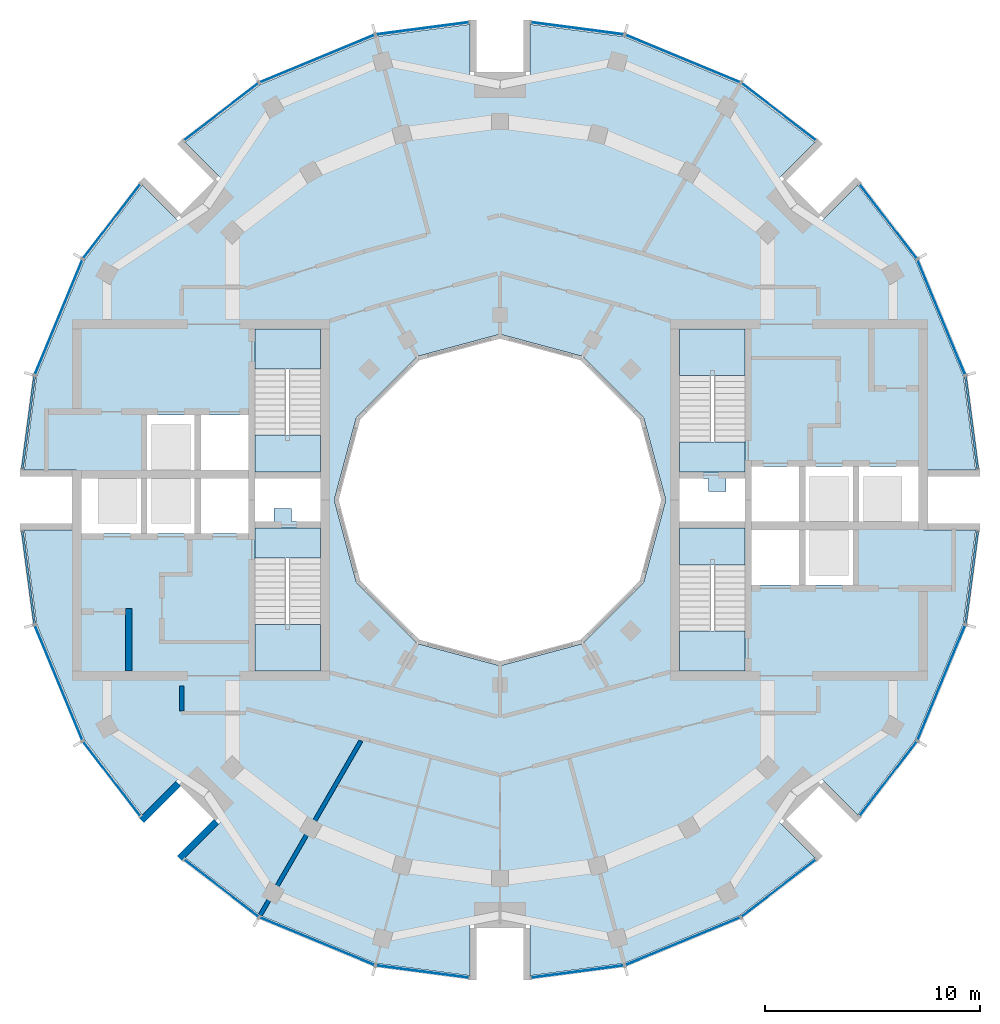
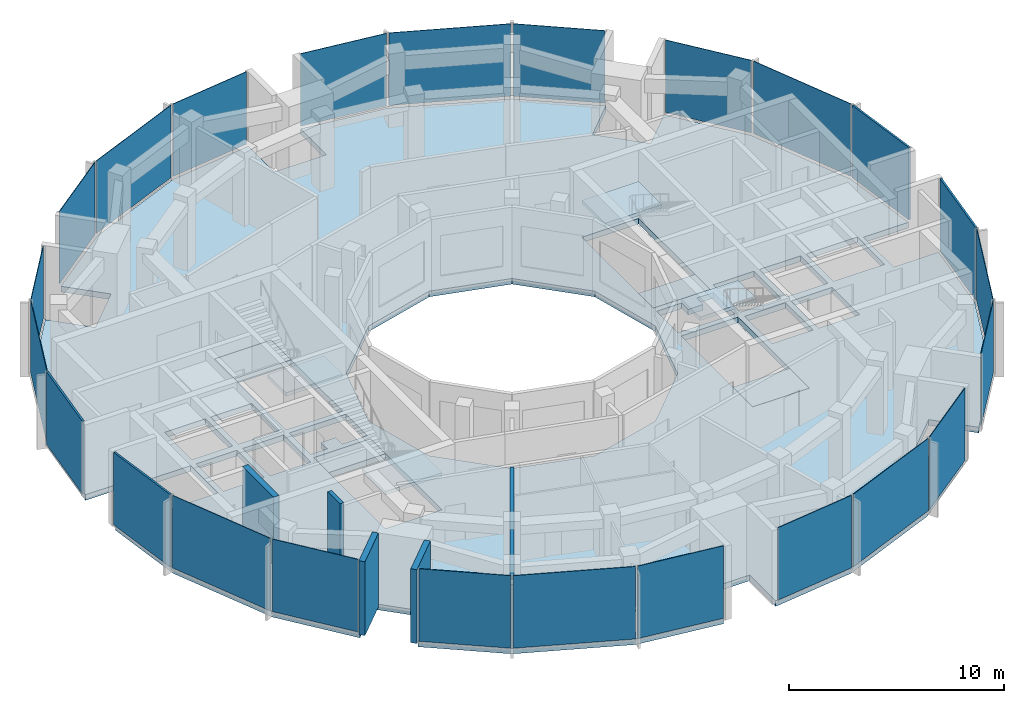
# One storey, part 7 of 13: 24 plates, 9 slabs, 5 walls, 28 elements without a shape of their own.
"""IFC4 building model written with IfcOpenShell, lengths in metres."""

from ifc_helpers import new_model, si_unit, direction, frame, frame_2d, origin, origin_2d, place, context, subcontext, project, spatial, polyline, rectangle, outline, extrude, material, layer, layer_set, type_object, element, aggregate, save


model = new_model("IFC4")

# Units and contexts
model_context = context("Model", 3, precision=1e-05, world=origin(), true_north=direction((0.0, 1.0)))
body_context = subcontext(model_context, "Body", "Model", "MODEL_VIEW")
ifc_project = project(units=[si_unit("LENGTHUNIT", "METRE"), si_unit("AREAUNIT", "SQUARE_METRE"), si_unit("VOLUMEUNIT", "CUBIC_METRE"), si_unit("PLANEANGLEUNIT", "RADIAN"), si_unit("MASSUNIT", "GRAM", prefix="KILO")], contexts=[model_context])

# Site, building, storey
site_placement = place(None, origin())
site = spatial("IfcSite", under=ifc_project, at=site_placement, CompositionType="ELEMENT")
building_placement = place(site_placement, origin())
building = spatial("IfcBuilding", under=site, at=building_placement, Name="Torre Brocal", CompositionType="ELEMENT")
storey_placement = place(building_placement, frame((0.0, 0.0, 296.699951171875)))
storey = spatial("IfcBuildingStorey", under=building, at=storey_placement, Name="L68", CompositionType="ELEMENT", Elevation=296.699951171875)

# Curtain wall, plate
ifc_material_1 = material(Name="Aluminium and glass", Category="aluminium")
ifc_layer_1 = layer(ifc_material_1, 0.199951171875)
ifc_layer_set_1 = layer_set([ifc_layer_1], Name="Aluminium and glass")
curtain_wall_type_1 = type_object("IfcCurtainWallType", Name="CW-1 CURTAIN WALL 4200 HIGH", PredefinedType="NOTDEFINED", material=ifc_layer_set_1)
curtain_wall_1_placement = place(storey_placement, origin())
curtain_wall_1 = element("IfcCurtainWall", 1, at=curtain_wall_1_placement, inside=storey, type_object=curtain_wall_type_1, Name="CW-1 RUN 2", PredefinedType="NOTDEFINED")
ifc_material_2 = material(Name="Glass, dark tinted laminated", Category="glass")
ifc_layer_2 = layer(ifc_material_2, 0.031982421875)
ifc_layer_set_2 = layer_set([ifc_layer_2], Name="Glass, dark tinted laminated")
plate_type_1 = type_object("IfcPlateType", Name="CW-1 GLASS PANEL 32", PredefinedType="CURTAIN_PANEL", material=ifc_layer_set_2)
plate_1_placement = place(storey_placement, frame((100.51708984375, 83.49853515625, 0.080078125), z_axis=(0.0, 0.0, 1.0), x_axis=(-0.382683432284, 0.923879532545, 0.0)))
plate_1 = element("IfcPlate", 2, at=plate_1_placement, type_object=plate_type_1, Name="CW1-5 panel 1.1", PredefinedType="CURTAIN_PANEL", context=body_context, shape_type="SweptSolid", body=[
    extrude(rectangle(XDim=5.727294921875, YDim=0.031982421875, at=origin_2d()), origin(), (0.0, 0.0, 1.0), 4.1201171875),
])
aggregate(curtain_wall_1, [plate_1])

curtain_wall_2_placement = place(storey_placement, origin())
curtain_wall_2 = element("IfcCurtainWall", 3, at=curtain_wall_2_placement, inside=storey, type_object=curtain_wall_type_1, Name="CW-1 RUN 3", PredefinedType="NOTDEFINED")
plate_2_placement = place(storey_placement, frame((98.048095703125, 87.958984375, 0.080078125), z_axis=(0.0, 0.0, 1.0), x_axis=(-0.608761429064, 0.793353340249, 0.0)))
plate_2 = element("IfcPlate", 4, at=plate_2_placement, type_object=plate_type_1, Name="CW1-5 panel 1.1", PredefinedType="CURTAIN_PANEL", context=body_context, shape_type="SweptSolid", body=[
    extrude(rectangle(XDim=4.315185546875, YDim=0.031982421875, at=origin_2d()), origin(), (0.0, 0.0, 1.0), 4.1201171875),
])
aggregate(curtain_wall_2, [plate_2])

curtain_wall_3_placement = place(storey_placement, origin())
curtain_wall_3 = element("IfcCurtainWall", 5, at=curtain_wall_3_placement, inside=storey, type_object=curtain_wall_type_1, Name="CW-1 RUN 4", PredefinedType="NOTDEFINED")
plate_3_placement = place(storey_placement, frame((92.958984375, 93.048095703125, 0.080078125), z_axis=(0.0, 0.0, 1.0), x_axis=(-0.793353340249, 0.608761429064, 0.0)))
plate_3 = element("IfcPlate", 6, at=plate_3_placement, type_object=plate_type_1, Name="CW1-5 panel 1.1", PredefinedType="CURTAIN_PANEL", context=body_context, shape_type="SweptSolid", body=[
    extrude(rectangle(XDim=4.315185546875, YDim=0.031982421875, at=origin_2d()), origin(), (0.0, 0.0, 1.0), 4.1201171875),
])
aggregate(curtain_wall_3, [plate_3])

curtain_wall_4_placement = place(storey_placement, origin())
curtain_wall_4 = element("IfcCurtainWall", 7, at=curtain_wall_4_placement, inside=storey, type_object=curtain_wall_type_1, Name="CW-1 RUN 5", PredefinedType="NOTDEFINED")
plate_4_placement = place(storey_placement, frame((88.49853515625, 95.51708984375, 0.080078125), z_axis=(0.0, 0.0, 1.0), x_axis=(-0.923879532545, 0.382683432284, 0.0)))
plate_4 = element("IfcPlate", 8, at=plate_4_placement, type_object=plate_type_1, Name="CW1-5 panel 1.1", PredefinedType="CURTAIN_PANEL", context=body_context, shape_type="SweptSolid", body=[
    extrude(rectangle(XDim=5.727294921875, YDim=0.031982421875, at=origin_2d()), origin(), (0.0, 0.0, 1.0), 4.1201171875),
])
aggregate(curtain_wall_4, [plate_4])

curtain_wall_5_placement = place(storey_placement, origin())
curtain_wall_5 = element("IfcCurtainWall", 9, at=curtain_wall_5_placement, inside=storey, type_object=curtain_wall_type_1, Name="CW-1 RUN 6", PredefinedType="NOTDEFINED")
plate_5_placement = place(storey_placement, frame((83.5986328125, 96.92529296875, 0.080078125), z_axis=(0.0, 0.0, 1.0), x_axis=(-0.991444861374, 0.13052619222, 0.0)))
plate_5 = element("IfcPlate", 10, at=plate_5_placement, type_object=plate_type_1, Name="CW1-5 panel 1.1", PredefinedType="CURTAIN_PANEL", context=body_context, shape_type="SweptSolid", body=[
    extrude(rectangle(XDim=4.315185546875, YDim=0.031982421875, at=origin_2d()), origin(), (0.0, 0.0, 1.0), 4.1201171875),
])
aggregate(curtain_wall_5, [plate_5])

curtain_wall_6_placement = place(storey_placement, origin())
curtain_wall_6 = element("IfcCurtainWall", 11, at=curtain_wall_6_placement, inside=storey, type_object=curtain_wall_type_1, Name="CW-1 RUN 7", PredefinedType="NOTDEFINED")
plate_6_placement = place(storey_placement, frame((76.4013671875, 96.92529296875, 0.080078125), z_axis=(0.0, 0.0, 1.0), x_axis=(-0.991444861374, -0.13052619222, 0.0)))
plate_6 = element("IfcPlate", 12, at=plate_6_placement, type_object=plate_type_1, Name="CW1-5 panel 1.1", PredefinedType="CURTAIN_PANEL", context=body_context, shape_type="SweptSolid", body=[
    extrude(rectangle(XDim=4.315185546875, YDim=0.031982421875, at=origin_2d()), origin(), (0.0, 0.0, 1.0), 4.1201171875),
])
aggregate(curtain_wall_6, [plate_6])

curtain_wall_7_placement = place(storey_placement, origin())
curtain_wall_7 = element("IfcCurtainWall", 13, at=curtain_wall_7_placement, inside=storey, type_object=curtain_wall_type_1, Name="CW-1 RUN 8", PredefinedType="NOTDEFINED")
plate_7_placement = place(storey_placement, frame((71.50146484375, 95.51708984375, 0.080078125), z_axis=(0.0, 0.0, 1.0), x_axis=(-0.923879532545, -0.382683432284, 0.0)))
plate_7 = element("IfcPlate", 14, at=plate_7_placement, type_object=plate_type_1, Name="CW1-5 panel 1.1", PredefinedType="CURTAIN_PANEL", context=body_context, shape_type="SweptSolid", body=[
    extrude(rectangle(XDim=5.727294921875, YDim=0.031982421875, at=origin_2d()), origin(), (0.0, 0.0, 1.0), 4.1201171875),
])
aggregate(curtain_wall_7, [plate_7])

curtain_wall_8_placement = place(storey_placement, origin())
curtain_wall_8 = element("IfcCurtainWall", 15, at=curtain_wall_8_placement, inside=storey, type_object=curtain_wall_type_1, Name="CW-1 RUN 9", PredefinedType="NOTDEFINED")
plate_8_placement = place(storey_placement, frame((67.041015625, 93.048095703125, 0.080078125), z_axis=(0.0, 0.0, 1.0), x_axis=(-0.793353340249, -0.608761429064, 0.0)))
plate_8 = element("IfcPlate", 16, at=plate_8_placement, type_object=plate_type_1, Name="CW1-5 panel 1.1", PredefinedType="CURTAIN_PANEL", context=body_context, shape_type="SweptSolid", body=[
    extrude(rectangle(XDim=4.315185546875, YDim=0.031982421875, at=origin_2d()), origin(), (0.0, 0.0, 1.0), 4.1201171875),
])
aggregate(curtain_wall_8, [plate_8])

curtain_wall_9_placement = place(storey_placement, origin())
curtain_wall_9 = element("IfcCurtainWall", 17, at=curtain_wall_9_placement, inside=storey, type_object=curtain_wall_type_1, Name="CW-1 RUN 10", PredefinedType="NOTDEFINED")
plate_9_placement = place(storey_placement, frame((61.951904296875, 87.958984375, 0.080078125), z_axis=(0.0, 0.0, 1.0), x_axis=(-0.608761429064, -0.793353340249, 0.0)))
plate_9 = element("IfcPlate", 18, at=plate_9_placement, type_object=plate_type_1, Name="CW1-5 panel 1.1", PredefinedType="CURTAIN_PANEL", context=body_context, shape_type="SweptSolid", body=[
    extrude(rectangle(XDim=4.315185546875, YDim=0.031982421875, at=origin_2d()), origin(), (0.0, 0.0, 1.0), 4.1201171875),
])
aggregate(curtain_wall_9, [plate_9])

curtain_wall_10_placement = place(storey_placement, origin())
curtain_wall_10 = element("IfcCurtainWall", 19, at=curtain_wall_10_placement, inside=storey, type_object=curtain_wall_type_1, Name="CW-1 RUN 11", PredefinedType="NOTDEFINED")
plate_10_placement = place(storey_placement, frame((59.48291015625, 83.49853515625, 0.080078125), z_axis=(0.0, 0.0, 1.0), x_axis=(-0.382683432284, -0.923879532545, 0.0)))
plate_10 = element("IfcPlate", 20, at=plate_10_placement, type_object=plate_type_1, Name="CW1-5 panel 1.1", PredefinedType="CURTAIN_PANEL", context=body_context, shape_type="SweptSolid", body=[
    extrude(rectangle(XDim=5.727294921875, YDim=0.031982421875, at=origin_2d()), origin(), (0.0, 0.0, 1.0), 4.1201171875),
])
aggregate(curtain_wall_10, [plate_10])

curtain_wall_11_placement = place(storey_placement, origin())
curtain_wall_11 = element("IfcCurtainWall", 21, at=curtain_wall_11_placement, inside=storey, type_object=curtain_wall_type_1, Name="CW-1 RUN 14", PredefinedType="NOTDEFINED")
plate_11_placement = place(storey_placement, frame((59.48291015625, 66.50146484375, 0.080078125), z_axis=(0.0, 0.0, 1.0), x_axis=(0.382683432284, -0.923879532545, 0.0)))
plate_11 = element("IfcPlate", 22, at=plate_11_placement, type_object=plate_type_1, Name="CW1-5 panel 1.1", PredefinedType="CURTAIN_PANEL", context=body_context, shape_type="SweptSolid", body=[
    extrude(rectangle(XDim=5.727294921875, YDim=0.031982421875, at=origin_2d()), origin(), (0.0, 0.0, 1.0), 4.1201171875),
])
aggregate(curtain_wall_11, [plate_11])

curtain_wall_12_placement = place(storey_placement, origin())
curtain_wall_12 = element("IfcCurtainWall", 23, at=curtain_wall_12_placement, inside=storey, type_object=curtain_wall_type_1, Name="CW-1 RUN 15", PredefinedType="NOTDEFINED")
plate_12_placement = place(storey_placement, frame((61.951904296875, 62.041015625, 0.080078125), z_axis=(0.0, 0.0, 1.0), x_axis=(0.608761429064, -0.793353340249, 0.0)))
plate_12 = element("IfcPlate", 24, at=plate_12_placement, type_object=plate_type_1, Name="CW1-5 panel 1.1", PredefinedType="CURTAIN_PANEL", context=body_context, shape_type="SweptSolid", body=[
    extrude(rectangle(XDim=4.315185546875, YDim=0.031982421875, at=origin_2d()), origin(), (0.0, 0.0, 1.0), 4.1201171875),
])
aggregate(curtain_wall_12, [plate_12])

curtain_wall_13_placement = place(storey_placement, origin())
curtain_wall_13 = element("IfcCurtainWall", 25, at=curtain_wall_13_placement, inside=storey, type_object=curtain_wall_type_1, Name="CW-1 RUN 16", PredefinedType="NOTDEFINED")
plate_13_placement = place(storey_placement, frame((67.041015625, 56.951904296875, 0.080078125), z_axis=(0.0, 0.0, 1.0), x_axis=(0.793353340249, -0.608761429064, 0.0)))
plate_13 = element("IfcPlate", 26, at=plate_13_placement, type_object=plate_type_1, Name="CW1-5 panel 1.1", PredefinedType="CURTAIN_PANEL", context=body_context, shape_type="SweptSolid", body=[
    extrude(rectangle(XDim=4.315185546875, YDim=0.031982421875, at=origin_2d()), origin(), (0.0, 0.0, 1.0), 4.1201171875),
])
aggregate(curtain_wall_13, [plate_13])

curtain_wall_14_placement = place(storey_placement, origin())
curtain_wall_14 = element("IfcCurtainWall", 27, at=curtain_wall_14_placement, inside=storey, type_object=curtain_wall_type_1, Name="CW-1 RUN 17", PredefinedType="NOTDEFINED")
plate_14_placement = place(storey_placement, frame((71.50146484375, 54.48291015625, 0.080078125), z_axis=(0.0, 0.0, 1.0), x_axis=(0.923879532545, -0.382683432284, 0.0)))
plate_14 = element("IfcPlate", 28, at=plate_14_placement, type_object=plate_type_1, Name="CW1-5 panel 1.1", PredefinedType="CURTAIN_PANEL", context=body_context, shape_type="SweptSolid", body=[
    extrude(rectangle(XDim=5.727294921875, YDim=0.031982421875, at=origin_2d()), origin(), (0.0, 0.0, 1.0), 4.1201171875),
])
aggregate(curtain_wall_14, [plate_14])

curtain_wall_15_placement = place(storey_placement, origin())
curtain_wall_15 = element("IfcCurtainWall", 29, at=curtain_wall_15_placement, inside=storey, type_object=curtain_wall_type_1, Name="CW-1 RUN 18", PredefinedType="NOTDEFINED")
plate_15_placement = place(storey_placement, frame((76.4013671875, 53.07470703125, 0.080078125), z_axis=(0.0, 0.0, 1.0), x_axis=(0.991444861374, -0.13052619222, 0.0)))
plate_15 = element("IfcPlate", 30, at=plate_15_placement, type_object=plate_type_1, Name="CW1-5 panel 1.1", PredefinedType="CURTAIN_PANEL", context=body_context, shape_type="SweptSolid", body=[
    extrude(rectangle(XDim=4.315185546875, YDim=0.031982421875, at=origin_2d()), origin(), (0.0, 0.0, 1.0), 4.1201171875),
])
aggregate(curtain_wall_15, [plate_15])

curtain_wall_16_placement = place(storey_placement, origin())
curtain_wall_16 = element("IfcCurtainWall", 31, at=curtain_wall_16_placement, inside=storey, type_object=curtain_wall_type_1, Name="CW-1 RUN 19", PredefinedType="NOTDEFINED")
plate_16_placement = place(storey_placement, frame((83.5986328125, 53.07470703125, 0.080078125), z_axis=(0.0, 0.0, 1.0), x_axis=(0.991444861374, 0.13052619222, 0.0)))
plate_16 = element("IfcPlate", 32, at=plate_16_placement, type_object=plate_type_1, Name="CW1-5 panel 1.1", PredefinedType="CURTAIN_PANEL", context=body_context, shape_type="SweptSolid", body=[
    extrude(rectangle(XDim=4.315185546875, YDim=0.031982421875, at=origin_2d()), origin(), (0.0, 0.0, 1.0), 4.1201171875),
])
aggregate(curtain_wall_16, [plate_16])

curtain_wall_17_placement = place(storey_placement, origin())
curtain_wall_17 = element("IfcCurtainWall", 33, at=curtain_wall_17_placement, inside=storey, type_object=curtain_wall_type_1, Name="CW-1 RUN 20", PredefinedType="NOTDEFINED")
plate_17_placement = place(storey_placement, frame((88.49853515625, 54.48291015625, 0.080078125), z_axis=(0.0, 0.0, 1.0), x_axis=(0.923879532545, 0.382683432284, 0.0)))
plate_17 = element("IfcPlate", 34, at=plate_17_placement, type_object=plate_type_1, Name="CW1-5 panel 1.1", PredefinedType="CURTAIN_PANEL", context=body_context, shape_type="SweptSolid", body=[
    extrude(rectangle(XDim=5.727294921875, YDim=0.031982421875, at=origin_2d()), origin(), (0.0, 0.0, 1.0), 4.1201171875),
])
aggregate(curtain_wall_17, [plate_17])

curtain_wall_18_placement = place(storey_placement, origin())
curtain_wall_18 = element("IfcCurtainWall", 35, at=curtain_wall_18_placement, inside=storey, type_object=curtain_wall_type_1, Name="CW-1 RUN 21", PredefinedType="NOTDEFINED")
plate_18_placement = place(storey_placement, frame((92.958984375, 56.951904296875, 0.080078125), z_axis=(0.0, 0.0, 1.0), x_axis=(0.793353340249, 0.608761429064, 0.0)))
plate_18 = element("IfcPlate", 36, at=plate_18_placement, type_object=plate_type_1, Name="CW1-5 panel 1.1", PredefinedType="CURTAIN_PANEL", context=body_context, shape_type="SweptSolid", body=[
    extrude(rectangle(XDim=4.315185546875, YDim=0.031982421875, at=origin_2d()), origin(), (0.0, 0.0, 1.0), 4.1201171875),
])
aggregate(curtain_wall_18, [plate_18])

curtain_wall_19_placement = place(storey_placement, origin())
curtain_wall_19 = element("IfcCurtainWall", 37, at=curtain_wall_19_placement, inside=storey, type_object=curtain_wall_type_1, Name="CW-1 RUN 22", PredefinedType="NOTDEFINED")
plate_19_placement = place(storey_placement, frame((98.048095703125, 62.041015625, 0.080078125), z_axis=(0.0, 0.0, 1.0), x_axis=(0.608761429064, 0.793353340249, 0.0)))
plate_19 = element("IfcPlate", 38, at=plate_19_placement, type_object=plate_type_1, Name="CW1-5 panel 1.1", PredefinedType="CURTAIN_PANEL", context=body_context, shape_type="SweptSolid", body=[
    extrude(rectangle(XDim=4.315185546875, YDim=0.031982421875, at=origin_2d()), origin(), (0.0, 0.0, 1.0), 4.1201171875),
])
aggregate(curtain_wall_19, [plate_19])

curtain_wall_20_placement = place(storey_placement, origin())
curtain_wall_20 = element("IfcCurtainWall", 39, at=curtain_wall_20_placement, inside=storey, type_object=curtain_wall_type_1, Name="CW-1 RUN 23", PredefinedType="NOTDEFINED")
plate_20_placement = place(storey_placement, frame((100.51708984375, 66.50146484375, 0.080078125), z_axis=(0.0, 0.0, 1.0), x_axis=(0.382683432284, 0.923879532545, 0.0)))
plate_20 = element("IfcPlate", 40, at=plate_20_placement, type_object=plate_type_1, Name="CW1-5 panel 1.1", PredefinedType="CURTAIN_PANEL", context=body_context, shape_type="SweptSolid", body=[
    extrude(rectangle(XDim=5.727294921875, YDim=0.031982421875, at=origin_2d()), origin(), (0.0, 0.0, 1.0), 4.1201171875),
])
aggregate(curtain_wall_20, [plate_20])

ifc_material_3 = material(Name="Aluminium and glass", Category="aluminium")
ifc_layer_3 = layer(ifc_material_3, 0.199951171875)
ifc_layer_set_3 = layer_set([ifc_layer_3], Name="Aluminium and glass")
curtain_wall_type_2 = type_object("IfcCurtainWallType", Name="CW-1B CURTAIN WALL 4200 HIGH", PredefinedType="NOTDEFINED", material=ifc_layer_set_3)
curtain_wall_21_placement = place(storey_placement, origin())
curtain_wall_21 = element("IfcCurtainWall", 41, at=curtain_wall_21_placement, inside=storey, type_object=curtain_wall_type_2, Name="CW-1B RUN 1", PredefinedType="NOTDEFINED")
ifc_material_4 = material(Name="Aluminium composite panel", Category="aluminium")
ifc_layer_4 = layer(ifc_material_4, 0.10009765625)
ifc_layer_set_4 = layer_set([ifc_layer_4], Name="Aluminium composite panel")
plate_type_2 = type_object("IfcPlateType", Name="CW-1B OPAQUE PANEL 100", PredefinedType="CURTAIN_PANEL", material=ifc_layer_set_4)
plate_21_placement = place(storey_placement, frame((101.92529296875, 78.5986328125, 0.080078125), z_axis=(0.0, 0.0, 1.0), x_axis=(-0.13052619222, 0.991444861374, 0.0)))
plate_21 = element("IfcPlate", 42, at=plate_21_placement, type_object=plate_type_2, Name="CW1B-5 panel 1.1", PredefinedType="CURTAIN_PANEL", context=body_context, shape_type="SweptSolid", body=[
    extrude(rectangle(XDim=4.315185546875, YDim=0.10009765625, at=origin_2d()), origin(), (0.0, 0.0, 1.0), 4.1201171875),
])
aggregate(curtain_wall_21, [plate_21])

curtain_wall_22_placement = place(storey_placement, origin())
curtain_wall_22 = element("IfcCurtainWall", 43, at=curtain_wall_22_placement, inside=storey, type_object=curtain_wall_type_2, Name="CW-1B RUN 12", PredefinedType="NOTDEFINED")
plate_22_placement = place(storey_placement, frame((58.07470703125, 78.5986328125, 0.080078125), z_axis=(0.0, 0.0, 1.0), x_axis=(-0.13052619222, -0.991444861374, 0.0)))
plate_22 = element("IfcPlate", 44, at=plate_22_placement, type_object=plate_type_2, Name="CW1B-5 panel 1.1", PredefinedType="CURTAIN_PANEL", context=body_context, shape_type="SweptSolid", body=[
    extrude(rectangle(XDim=4.315185546875, YDim=0.10009765625, at=origin_2d()), origin(), (0.0, 0.0, 1.0), 4.1201171875),
])
aggregate(curtain_wall_22, [plate_22])

curtain_wall_23_placement = place(storey_placement, origin())
curtain_wall_23 = element("IfcCurtainWall", 45, at=curtain_wall_23_placement, inside=storey, type_object=curtain_wall_type_2, Name="CW-1B RUN 13", PredefinedType="NOTDEFINED")
plate_23_placement = place(storey_placement, frame((58.07470703125, 71.4013671875, 0.080078125), z_axis=(0.0, 0.0, 1.0), x_axis=(0.13052619222, -0.991444861374, 0.0)))
plate_23 = element("IfcPlate", 46, at=plate_23_placement, type_object=plate_type_2, Name="CW1B-5 panel 1.1", PredefinedType="CURTAIN_PANEL", context=body_context, shape_type="SweptSolid", body=[
    extrude(rectangle(XDim=4.315185546875, YDim=0.10009765625, at=origin_2d()), origin(), (0.0, 0.0, 1.0), 4.1201171875),
])
aggregate(curtain_wall_23, [plate_23])

curtain_wall_24_placement = place(storey_placement, origin())
curtain_wall_24 = element("IfcCurtainWall", 47, at=curtain_wall_24_placement, inside=storey, type_object=curtain_wall_type_2, Name="CW-1B RUN 24", PredefinedType="NOTDEFINED")
plate_24_placement = place(storey_placement, frame((101.92529296875, 71.4013671875, 0.080078125), z_axis=(0.0, 0.0, 1.0), x_axis=(0.13052619222, 0.991444861374, 0.0)))
plate_24 = element("IfcPlate", 48, at=plate_24_placement, type_object=plate_type_2, Name="CW1B-5 panel 1.1", PredefinedType="CURTAIN_PANEL", context=body_context, shape_type="SweptSolid", body=[
    extrude(rectangle(XDim=4.315185546875, YDim=0.10009765625, at=origin_2d()), origin(), (0.0, 0.0, 1.0), 4.1201171875),
])
aggregate(curtain_wall_24, [plate_24])

# Stair, slab
ifc_material_5 = material(Name="Concrete C50", Category="concrete")
stair_type = type_object("IfcStairType", Name="EXIT STAIR", PredefinedType="HALF_TURN_STAIR", material=ifc_material_5)
stair_1_placement = place(storey_placement, origin())
stair_1 = element("IfcStair", 49, at=stair_1_placement, inside=storey, type_object=stair_type, Name="EXIT STAIR ST1", PredefinedType="HALF_TURN_STAIR")
ifc_material_6 = material(Name="Concrete C50", Category="concrete")
ifc_layer_5 = layer(ifc_material_6, 0.320068359375)
ifc_layer_set_5 = layer_set([ifc_layer_5], Name="Concrete C50")
slab_type_1 = type_object("IfcSlabType", Name="FLOOR LANDING 320", PredefinedType="LANDING", material=ifc_layer_set_5)
slab_1_placement = place(storey_placement, frame((0.0, 0.0, -0.320068359375)))
slab_1 = element("IfcSlab", 50, at=slab_1_placement, type_object=slab_type_1, Name="ST1 landing 1", PredefinedType="LANDING", context=body_context, shape_type="SweptSolid", body=[
    extrude(outline(polyline([(88.35009765625, 76.300048828125), (91.39990234375, 76.300048828125), (91.39990234375, 77.699951171875), (88.35009765625, 77.699951171875), (88.35009765625, 76.300048828125)])), origin(), (0.0, 0.0, 1.0), 0.320068359375),
])

stair_2_placement = place(storey_placement, origin())
stair_2 = element("IfcStair", 51, at=stair_2_placement, inside=storey, type_object=stair_type, Name="EXIT STAIR ST2", PredefinedType="HALF_TURN_STAIR")
slab_2_placement = place(storey_placement, frame((0.0, 0.0, -0.320068359375)))
slab_2 = element("IfcSlab", 52, at=slab_2_placement, type_object=slab_type_1, Name="ST2 landing 1", PredefinedType="LANDING", context=body_context, shape_type="SweptSolid", body=[
    extrude(outline(polyline([(88.35009765625, 67.050048828125), (91.39990234375, 67.050048828125), (91.39990234375, 68.89990234375), (88.35009765625, 68.89990234375), (88.35009765625, 67.050048828125)])), origin(), (0.0, 0.0, 1.0), 0.320068359375),
])

stair_3_placement = place(storey_placement, origin())
stair_3 = element("IfcStair", 53, at=stair_3_placement, inside=storey, type_object=stair_type, Name="EXIT STAIR ST3", PredefinedType="HALF_TURN_STAIR")
slab_3_placement = place(storey_placement, frame((0.0, 0.0, -0.320068359375)))
slab_3 = element("IfcSlab", 54, at=slab_3_placement, type_object=slab_type_1, Name="ST3 landing 1", PredefinedType="LANDING", context=body_context, shape_type="SweptSolid", body=[
    extrude(outline(polyline([(71.64990234375, 73.699951171875), (68.60009765625, 73.699951171875), (68.60009765625, 72.300048828125), (71.64990234375, 72.300048828125), (71.64990234375, 73.699951171875)])), origin(), (0.0, 0.0, 1.0), 0.320068359375),
])

stair_4_placement = place(storey_placement, origin())
stair_4 = element("IfcStair", 55, at=stair_4_placement, inside=storey, type_object=stair_type, Name="EXIT STAIR ST4", PredefinedType="HALF_TURN_STAIR")
slab_4_placement = place(storey_placement, frame((0.0, 0.0, -0.320068359375)))
slab_4 = element("IfcSlab", 56, at=slab_4_placement, type_object=slab_type_1, Name="ST4 landing 1", PredefinedType="LANDING", context=body_context, shape_type="SweptSolid", body=[
    extrude(outline(polyline([(71.64990234375, 82.949951171875), (68.60009765625, 82.949951171875), (68.60009765625, 81.10009765625), (71.64990234375, 81.10009765625), (71.64990234375, 82.949951171875)])), origin(), (0.0, 0.0, 1.0), 0.320068359375),
])

# Slab
ifc_material_7 = material(Name="Concrete C50", Category="concrete")
ifc_layer_6 = layer(ifc_material_7, 0.199951171875)
ifc_layer_set_6 = layer_set([ifc_layer_6], Name="Concrete C50")
slab_type_2 = type_object("IfcSlabType", Name="MID LANDING +2100", PredefinedType="LANDING", material=ifc_layer_set_6)
slab_5_placement = place(storey_placement, frame((0.0, 0.0, 1.900146484375)))
slab_5 = element("IfcSlab", 57, at=slab_5_placement, type_object=slab_type_2, Name="ST1 landing 2", PredefinedType="LANDING", context=body_context, shape_type="SweptSolid", body=[
    extrude(outline(polyline([(88.35009765625, 80.780029296875), (91.39990234375, 80.780029296875), (91.39990234375, 82.949951171875), (88.35009765625, 82.949951171875), (88.35009765625, 80.780029296875)])), origin(), (0.0, 0.0, 1.0), 0.199951171875),
])

aggregate(stair_1, [slab_1, slab_5])

slab_6_placement = place(storey_placement, frame((0.0, 0.0, 1.900146484375)))
slab_6 = element("IfcSlab", 58, at=slab_6_placement, type_object=slab_type_2, Name="ST2 landing 2", PredefinedType="LANDING", context=body_context, shape_type="SweptSolid", body=[
    extrude(outline(polyline([(88.35009765625, 71.97998046875), (91.39990234375, 71.97998046875), (91.39990234375, 73.699951171875), (88.35009765625, 73.699951171875), (88.35009765625, 71.97998046875)])), origin(), (0.0, 0.0, 1.0), 0.199951171875),
])

aggregate(stair_2, [slab_2, slab_6])

slab_7_placement = place(storey_placement, frame((0.0, 0.0, 1.900146484375)))
slab_7 = element("IfcSlab", 59, at=slab_7_placement, type_object=slab_type_2, Name="ST3 landing 2", PredefinedType="LANDING", context=body_context, shape_type="SweptSolid", body=[
    extrude(outline(polyline([(71.64990234375, 69.219970703125), (68.60009765625, 69.219970703125), (68.60009765625, 67.050048828125), (71.64990234375, 67.050048828125), (71.64990234375, 69.219970703125)])), origin(), (0.0, 0.0, 1.0), 0.199951171875),
])

aggregate(stair_3, [slab_3, slab_7])

slab_8_placement = place(storey_placement, frame((0.0, 0.0, 1.900146484375)))
slab_8 = element("IfcSlab", 60, at=slab_8_placement, type_object=slab_type_2, Name="ST4 landing 2", PredefinedType="LANDING", context=body_context, shape_type="SweptSolid", body=[
    extrude(outline(polyline([(71.64990234375, 78.02001953125), (68.60009765625, 78.02001953125), (68.60009765625, 76.300048828125), (71.64990234375, 76.300048828125), (71.64990234375, 78.02001953125)])), origin(), (0.0, 0.0, 1.0), 0.199951171875),
])

aggregate(stair_4, [slab_4, slab_8])

ifc_material_8 = material(Name="Concrete C45", Category="concrete")
ifc_layer_7 = layer(ifc_material_8, 0.320068359375)
ifc_layer_set_7 = layer_set([ifc_layer_7], Name="Concrete C45")
slab_type_3 = type_object("IfcSlabType", Name="PT FLOOR SLAB 320 C45", PredefinedType="FLOOR", material=ifc_layer_set_7)
slab_9_placement = place(storey_placement, frame((0.0, 0.0, -0.320068359375)))
element("IfcSlab", 61, at=slab_9_placement, inside=storey, type_object=slab_type_3, Name="Slab ST-05", PredefinedType="FLOOR", context=body_context, shape_type="SweptSolid", body=[
    extrude(outline(polyline([(99.699951171875, 76.39990234375), (99.699951171875, 73.60009765625), (102.114013671875, 73.60009765625), (101.53857421875, 69.228759765625), (99.310791015625, 63.850830078125), (96.626953125, 60.35302734375), (94.919921875, 62.06005859375), (92.93994140625, 60.080078125), (94.64697265625, 58.373046875), (91.149169921875, 55.689208984375), (85.771240234375, 53.46142578125), (81.39990234375, 52.885986328125), (81.39990234375, 55.300048828125), (78.60009765625, 55.300048828125), (78.60009765625, 52.885986328125), (74.228759765625, 53.46142578125), (68.850830078125, 55.689208984375), (65.35302734375, 58.373046875), (67.06005859375, 60.080078125), (65.080078125, 62.06005859375), (63.373046875, 60.35302734375), (60.689208984375, 63.850830078125), (58.46142578125, 69.228759765625), (57.885986328125, 73.60009765625), (60.300048828125, 73.60009765625), (60.300048828125, 76.39990234375), (57.885986328125, 76.39990234375), (58.46142578125, 80.771240234375), (60.689208984375, 86.149169921875), (63.373046875, 89.64697265625), (65.080078125, 87.93994140625), (67.06005859375, 89.919921875), (65.35302734375, 91.626953125), (68.850830078125, 94.310791015625), (74.228759765625, 96.53857421875), (78.60009765625, 97.114013671875), (78.60009765625, 94.699951171875), (81.39990234375, 94.699951171875), (81.39990234375, 97.114013671875), (85.771240234375, 96.53857421875), (91.149169921875, 94.310791015625), (94.64697265625, 91.626953125), (92.93994140625, 89.919921875), (94.919921875, 87.93994140625), (96.626953125, 89.64697265625), (99.310791015625, 86.149169921875), (101.53857421875, 80.771240234375), (102.114013671875, 76.39990234375), (99.699951171875, 76.39990234375)]), holes=[polyline([(99.449951171875, 76.550048828125), (96.699951171875, 76.550048828125), (96.699951171875, 74.0), (99.449951171875, 74.0), (99.449951171875, 76.550048828125)]), polyline([(96.39990234375, 76.550048828125), (94.199951171875, 76.550048828125), (94.199951171875, 74.0), (96.39990234375, 74.0), (96.39990234375, 76.550048828125)]), polyline([(96.39990234375, 73.60009765625), (94.199951171875, 73.60009765625), (94.199951171875, 71.050048828125), (96.39990234375, 71.050048828125), (96.39990234375, 73.60009765625)]), polyline([(93.89990234375, 76.550048828125), (91.699951171875, 76.550048828125), (91.699951171875, 74.0), (93.89990234375, 74.0), (93.89990234375, 76.550048828125)]), polyline([(93.89990234375, 73.60009765625), (91.699951171875, 73.60009765625), (91.699951171875, 71.050048828125), (93.89990234375, 71.050048828125), (93.89990234375, 73.60009765625)]), polyline([(89.699951171875, 76.0), (88.35009765625, 76.0), (88.35009765625, 74.0), (91.39990234375, 74.0), (91.39990234375, 76.0), (90.5, 76.0), (90.5, 75.39990234375), (89.699951171875, 75.39990234375), (89.699951171875, 76.0)]), polyline([(91.39990234375, 82.949951171875), (88.35009765625, 82.949951171875), (88.35009765625, 76.300048828125), (91.39990234375, 76.300048828125), (91.39990234375, 82.949951171875)]), polyline([(91.39990234375, 73.699951171875), (88.35009765625, 73.699951171875), (88.35009765625, 67.050048828125), (91.39990234375, 67.050048828125), (91.39990234375, 73.699951171875)]), polyline([(80.0, 82.70703125), (76.146484375, 81.674560546875), (73.325439453125, 78.853515625), (72.29296875, 75.0), (73.325439453125, 71.146484375), (76.146484375, 68.325439453125), (80.0, 67.29296875), (83.853515625, 68.325439453125), (86.674560546875, 71.146484375), (87.70703125, 75.0), (86.674560546875, 78.853515625), (83.853515625, 81.674560546875), (80.0, 82.70703125)]), polyline([(70.300048828125, 74.0), (71.64990234375, 74.0), (71.64990234375, 76.0), (68.60009765625, 76.0), (68.60009765625, 74.0), (69.5, 74.0), (69.5, 74.60009765625), (70.300048828125, 74.60009765625), (70.300048828125, 74.0)]), polyline([(68.60009765625, 76.300048828125), (71.64990234375, 76.300048828125), (71.64990234375, 82.949951171875), (68.60009765625, 82.949951171875), (68.60009765625, 76.300048828125)]), polyline([(68.60009765625, 67.050048828125), (71.64990234375, 67.050048828125), (71.64990234375, 73.699951171875), (68.60009765625, 73.699951171875), (68.60009765625, 67.050048828125)]), polyline([(66.10009765625, 76.39990234375), (68.300048828125, 76.39990234375), (68.300048828125, 78.949951171875), (66.10009765625, 78.949951171875), (66.10009765625, 76.39990234375)]), polyline([(66.10009765625, 73.449951171875), (68.300048828125, 73.449951171875), (68.300048828125, 76.0), (66.10009765625, 76.0), (66.10009765625, 73.449951171875)]), polyline([(63.60009765625, 76.39990234375), (65.800048828125, 76.39990234375), (65.800048828125, 78.949951171875), (63.60009765625, 78.949951171875), (63.60009765625, 76.39990234375)]), polyline([(63.60009765625, 73.449951171875), (65.800048828125, 73.449951171875), (65.800048828125, 76.0), (63.60009765625, 76.0), (63.60009765625, 73.449951171875)]), polyline([(60.550048828125, 73.449951171875), (63.300048828125, 73.449951171875), (63.300048828125, 76.0), (60.550048828125, 76.0), (60.550048828125, 73.449951171875)])]), origin(), (0.0, 0.0, 1.0), 0.320068359375),
])

# Walls
ifc_material_9 = material(Name="Concrete C50", Category="concrete")
ifc_layer_8 = layer(ifc_material_9, 0.300048828125)
ifc_layer_set_8 = layer_set([ifc_layer_8], Name="Concrete C50")
wall_type_1 = type_object("IfcWallType", Name="CORE WALL 300 C50", PredefinedType="SHEAR", material=ifc_layer_set_8)
wall_1_placement = place(storey_placement, frame((62.75, 69.949951171875, 0.0), z_axis=(0.0, 0.0, 1.0), x_axis=(0.0, -1.0, 0.0)))
element("IfcWall", 62, at=wall_1_placement, inside=storey, type_object=wall_type_1, Name="Wall CW300-50", PredefinedType="SHEAR", context=body_context, shape_type="SweptSolid", body=[
    extrude(rectangle(XDim=2.89990234375, YDim=0.300048828125, at=frame_2d((1.449951171875, 0.0))), origin(), (0.0, 0.0, 1.0), 3.880126953125),
])
ifc_material_10 = material(Name="Concrete C50", Category="concrete")
ifc_layer_9 = layer(ifc_material_10, 0.300048828125)
ifc_layer_set_9 = layer_set([ifc_layer_9], Name="Concrete C50")
wall_type_2 = type_object("IfcWallType", Name="NOTCH RETURN WALL 300 C50", PredefinedType="NOTDEFINED", material=ifc_layer_set_9)
for number, where, z_axis, x_axis, name in (
    (63, (65.044677734375, 61.8125, 0.0), (0.0, 0.0, 1.0), (-0.707106781187, -0.707106781187, 0.0), "NOTCH RETURN WALL"),
    (64, (66.8125, 60.044677734375, 0.0), (0.0, 0.0, 1.0), (-0.707106781187, -0.707106781187, 0.0), "NOTCH RETURN WALL"),
):
    element("IfcWall", number, at=place(storey_placement, frame(where, z_axis=z_axis, x_axis=x_axis)), inside=storey, type_object=wall_type_2, Name=name, PredefinedType="NOTDEFINED", context=body_context, shape_type="SweptSolid", body=[
        extrude(rectangle(XDim=2.415771484375, YDim=0.300048828125, at=frame_2d((1.2080078125, 0.0))), origin(), (0.0, 0.0, 1.0), 4.199951171875),
    ])
ifc_material_11 = material(Name="Gypsum board", Category="Gypsum")
ifc_layer_10 = layer(ifc_material_11, 0.199951171875)
ifc_layer_set_10 = layer_set([ifc_layer_10], Name="Gypsum board")
wall_type_3 = type_object("IfcWallType", Name="PARTITION 200 EI60", PredefinedType="PARTITIONING", material=ifc_layer_set_10)
wall_2_placement = place(storey_placement, frame((65.199951171875, 65.199951171875, 0.0), z_axis=(0.0, 0.0, 1.0), x_axis=(0.0, 1.0, 0.0)))
element("IfcWall", 65, at=wall_2_placement, inside=storey, type_object=wall_type_3, Name="FLAT ENTRANCE WALL", PredefinedType="PARTITIONING", context=body_context, shape_type="SweptSolid", body=[
    extrude(rectangle(XDim=1.149169921875, YDim=0.199951171875, at=frame_2d((0.57470703125, 0.0))), origin(), (0.0, 0.0, 1.0), 3.75),
])
wall_3_placement = place(storey_placement, frame((68.849365234375, 55.69189453125, 0.0), z_axis=(0.0, 0.0, 1.0), x_axis=(0.50011732958, 0.865957652922, 0.0)))
element("IfcWall", 66, at=wall_3_placement, inside=storey, type_object=wall_type_3, Name="BATHROOM WALL", PredefinedType="PARTITIONING", context=body_context, shape_type="SweptSolid", body=[
    extrude(rectangle(XDim=9.365478515625, YDim=0.199951171875, at=frame_2d((4.6826171875, 0.0))), origin(), (0.0, 0.0, 1.0), 3.75),
])

save(model, "model.ifc")
